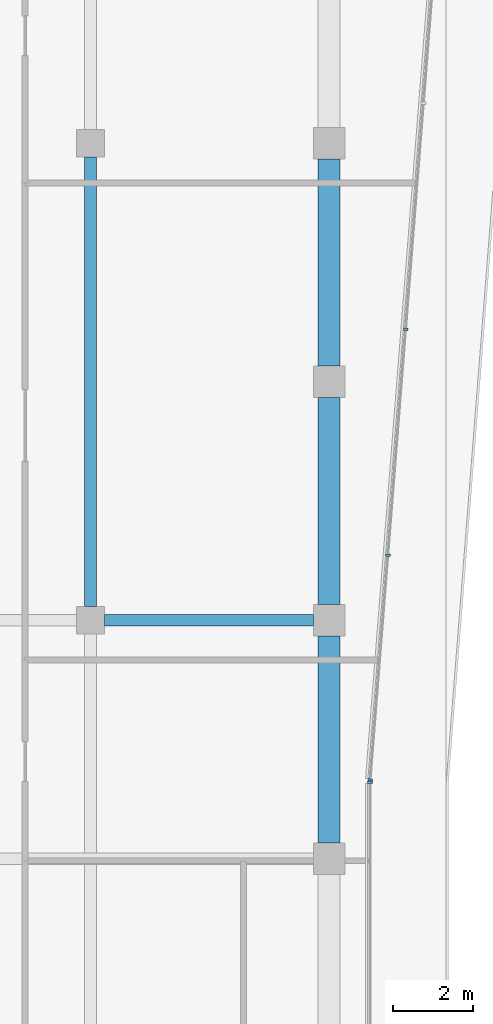
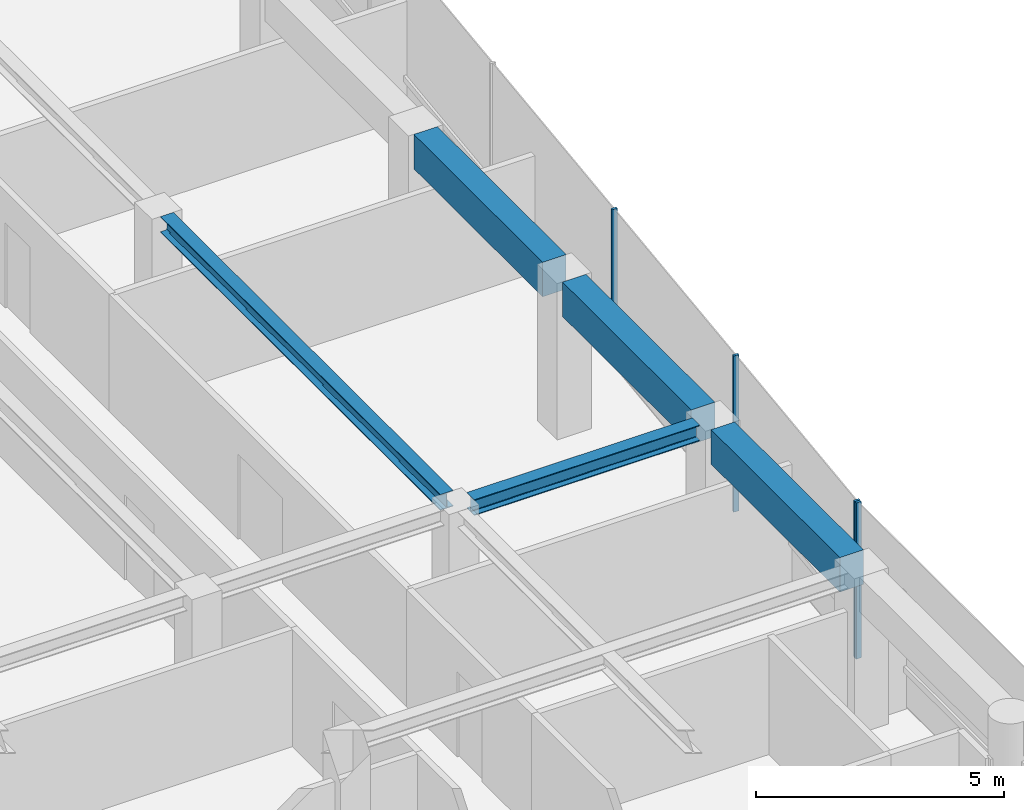
# One storey, part 8 of 23: 5 beams, 4 members, 2 elements without a shape of their own.
"""IFC4 building model written with IfcOpenShell, lengths in metres."""

from ifc_helpers import new_model, si_unit, direction, frame, origin, origin_2d, place, context, subcontext, project, spatial, rectangle, i_section, extrude, material, layer, layer_set, material_profile, profile_set, type_object, element, aggregate, save


model = new_model("IFC4")

# Units and contexts
model_context = context("Model", 3, precision=1e-05, world=origin(), true_north=direction((0.0, 1.0)))
body_context = subcontext(model_context, "Body", "Model", "MODEL_VIEW")
ifc_project = project(units=[si_unit("LENGTHUNIT", "METRE"), si_unit("AREAUNIT", "SQUARE_METRE"), si_unit("VOLUMEUNIT", "CUBIC_METRE"), si_unit("PLANEANGLEUNIT", "RADIAN"), si_unit("MASSUNIT", "GRAM", prefix="KILO")], contexts=[model_context])

# Site, building, storey
site_placement = place(None, origin())
site = spatial("IfcSite", under=ifc_project, at=site_placement, CompositionType="ELEMENT")
building_placement = place(site_placement, origin())
building = spatial("IfcBuilding", under=site, at=building_placement, Name="Welwitschia Terrace Campus", CompositionType="ELEMENT")
storey_placement = place(building_placement, frame((0.0, 0.0, 247.39990234375)))
storey = spatial("IfcBuildingStorey", under=building, at=storey_placement, Name="L55", CompositionType="ELEMENT", Elevation=247.39990234375)

# Beams
ifc_material_1 = material(Name="Steel S355", Category="steel")
ifc_material_profile_1 = material_profile(ifc_material_1, i_section(OverallWidth=0.300048828125, OverallDepth=0.389892578125, WebThickness=0.010986328125, FlangeThickness=0.01904296875, FilletRadius=0.027099609375, at=origin_2d()))
ifc_profile_set_1 = profile_set([ifc_material_profile_1], Name="Steel S355")
beam_type_1 = type_object("IfcBeamType", Name="Interior girder HE 400 A", PredefinedType="BEAM", material=ifc_profile_set_1)
beam_1_placement = place(storey_placement, frame((18.3505859375, 40.0, 3.655029296875), z_axis=(1.0, 0.0, 0.0), x_axis=(0.0, 1.0, 0.0)))
element("IfcBeam", 1, at=beam_1_placement, inside=storey, type_object=beam_type_1, Name="Girder GB5", PredefinedType="BEAM", context=body_context, shape_type="SweptSolid", body=[
    extrude(i_section(OverallWidth=0.300048828125, OverallDepth=0.389892578125, WebThickness=0.010986328125, FlangeThickness=0.01904296875, FilletRadius=0.027099609375, at=origin_2d()), origin(), (0.0, 0.0, 1.0), 5.259033203125),
])
beam_2_placement = place(storey_placement, frame((18.0, 40.3505859375, 3.655029296875), z_axis=(0.0, 1.0, 0.0), x_axis=(-1.0, 0.0, 0.0)))
element("IfcBeam", 2, at=beam_2_placement, inside=storey, type_object=beam_type_1, Name="Girder GB5", PredefinedType="BEAM", context=body_context, shape_type="SweptSolid", body=[
    extrude(i_section(OverallWidth=0.300048828125, OverallDepth=0.389892578125, WebThickness=0.010986328125, FlangeThickness=0.01904296875, FilletRadius=0.027099609375, at=origin_2d()), origin(), (0.0, 0.0, 1.0), 11.298828125),
])

# Curtain wall, member
ifc_material_2 = material(Name="Bronze anodised aluminium", Category="aluminium")
ifc_layer = layer(ifc_material_2, 0.1201171875)
ifc_layer_set = layer_set([ifc_layer], Name="Bronze anodised aluminium")
curtain_wall_type = type_object("IfcCurtainWallType", Name="Curtain wall CW2 tower 6000", PredefinedType="NOTDEFINED", material=ifc_layer_set)
curtain_wall_1_placement = place(storey_placement, origin())
curtain_wall_1 = element("IfcCurtainWall", 3, at=curtain_wall_1_placement, inside=storey, type_object=curtain_wall_type, Name="CW L55.7.0", PredefinedType="NOTDEFINED")
ifc_material_3 = material(Name="Bronze anodised aluminium", Category="aluminium")
ifc_material_profile_2 = material_profile(ifc_material_3, rectangle(XDim=0.1201171875, YDim=0.06005859375, at=origin_2d()))
ifc_profile_set_2 = profile_set([ifc_material_profile_2], Name="Bronze anodised aluminium")
member_type = type_object("IfcMemberType", Name="Mullion 60x120", PredefinedType="MULLION", material=ifc_profile_set_2)
member_1_placement = place(storey_placement, frame((25.030029296875, 35.923583984375, 0.0), z_axis=(0.0, 0.0, 1.0), x_axis=(-1.0, 0.0, 0.0)))
member_1 = element("IfcMember", 4, at=member_1_placement, type_object=member_type, Name="Mullion L55.7.0.1", PredefinedType="MULLION", context=body_context, shape_type="SweptSolid", body=[
    extrude(rectangle(XDim=0.1201171875, YDim=0.06005859375, at=origin_2d()), origin(), (0.0, 0.0, 1.0), 3.85009765625),
])
aggregate(curtain_wall_1, [member_1])

# Curtain wall, members
curtain_wall_2_placement = place(storey_placement, origin())
curtain_wall_2 = element("IfcCurtainWall", 5, at=curtain_wall_2_placement, inside=storey, type_object=curtain_wall_type, Name="CW L55.8.0", PredefinedType="NOTDEFINED")
member_2_placement = place(storey_placement, frame((25.032470703125, 35.983642578125, 0.0), z_axis=(0.0, 0.0, 1.0), x_axis=(-0.996917333733, 0.078459095728, 0.0)))
member_2 = element("IfcMember", 6, at=member_2_placement, type_object=member_type, Name="Mullion L55.8.0.0", PredefinedType="MULLION", context=body_context, shape_type="SweptSolid", body=[
    extrude(rectangle(XDim=0.1201171875, YDim=0.06005859375, at=origin_2d()), origin(), (0.0, 0.0, 1.0), 3.85009765625),
])
member_3_placement = place(storey_placement, frame((25.477294921875, 41.637451171875, 0.0), z_axis=(0.0, 0.0, 1.0), x_axis=(-0.996917333733, 0.078459095728, 0.0)))
member_3 = element("IfcMember", 7, at=member_3_placement, type_object=member_type, Name="Mullion L55.8.0.1", PredefinedType="MULLION", context=body_context, shape_type="SweptSolid", body=[
    extrude(rectangle(XDim=0.1201171875, YDim=0.06005859375, at=origin_2d()), origin(), (0.0, 0.0, 1.0), 3.85009765625),
])
member_4_placement = place(storey_placement, frame((25.924560546875, 47.321044921875, 0.0), z_axis=(0.0, 0.0, 1.0), x_axis=(-0.996917333733, 0.078459095728, 0.0)))
member_4 = element("IfcMember", 8, at=member_4_placement, type_object=member_type, Name="Mullion L55.8.0.2", PredefinedType="MULLION", context=body_context, shape_type="SweptSolid", body=[
    extrude(rectangle(XDim=0.1201171875, YDim=0.06005859375, at=origin_2d()), origin(), (0.0, 0.0, 1.0), 3.85009765625),
])
aggregate(curtain_wall_2, [member_2, member_3, member_4])

# Beams
ifc_material_4 = material(Name="Concrete C50/60", Category="concrete")
ifc_material_profile_3 = material_profile(ifc_material_4, rectangle(XDim=0.550048828125, YDim=0.85009765625, at=origin_2d()))
ifc_profile_set_3 = profile_set([ifc_material_profile_3], Name="Concrete C50/60")
beam_type_2 = type_object("IfcBeamType", Name="Ring spandrel 550x850", PredefinedType="SPANDREL", material=ifc_profile_set_3)
for number, where, z_axis, x_axis, name in (
    (9, (24.0, 34.400390625, 3.425048828125), (0.0, 1.0, 0.0), (-1.0, 0.0, 0.0), "Spandrel SP3"),
    (10, (24.0, 40.400390625, 3.425048828125), (0.0, 1.0, 0.0), (-1.0, 0.0, 0.0), "Spandrel SP3"),
    (11, (24.0, 46.400390625, 3.425048828125), (0.0, 1.0, 0.0), (-1.0, 0.0, 0.0), "Spandrel SP3"),
):
    element("IfcBeam", number, at=place(storey_placement, frame(where, z_axis=z_axis, x_axis=x_axis)), inside=storey, type_object=beam_type_2, Name=name, PredefinedType="SPANDREL", context=body_context, shape_type="SweptSolid", body=[
        extrude(rectangle(XDim=0.550048828125, YDim=0.85009765625, at=origin_2d()), origin(), (0.0, 0.0, 1.0), 5.19921875),
    ])

save(model, "model.ifc")
